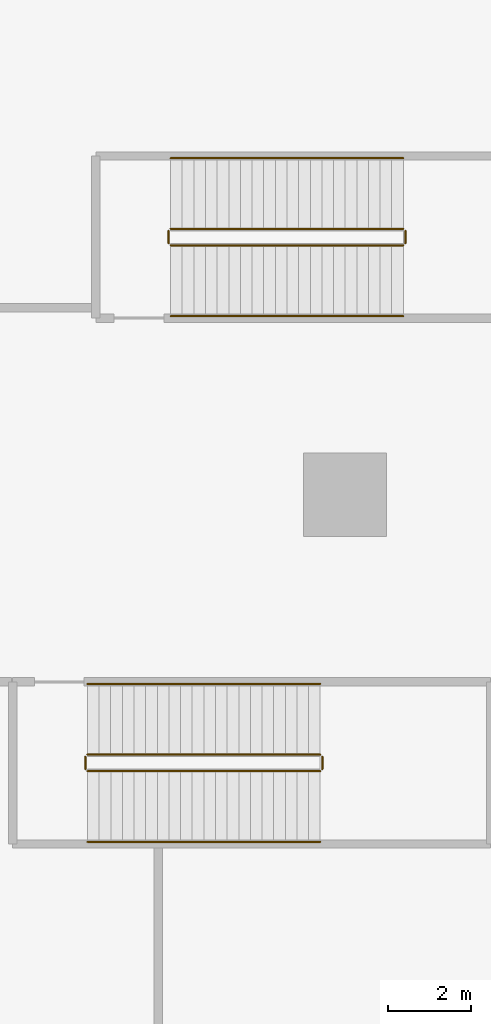
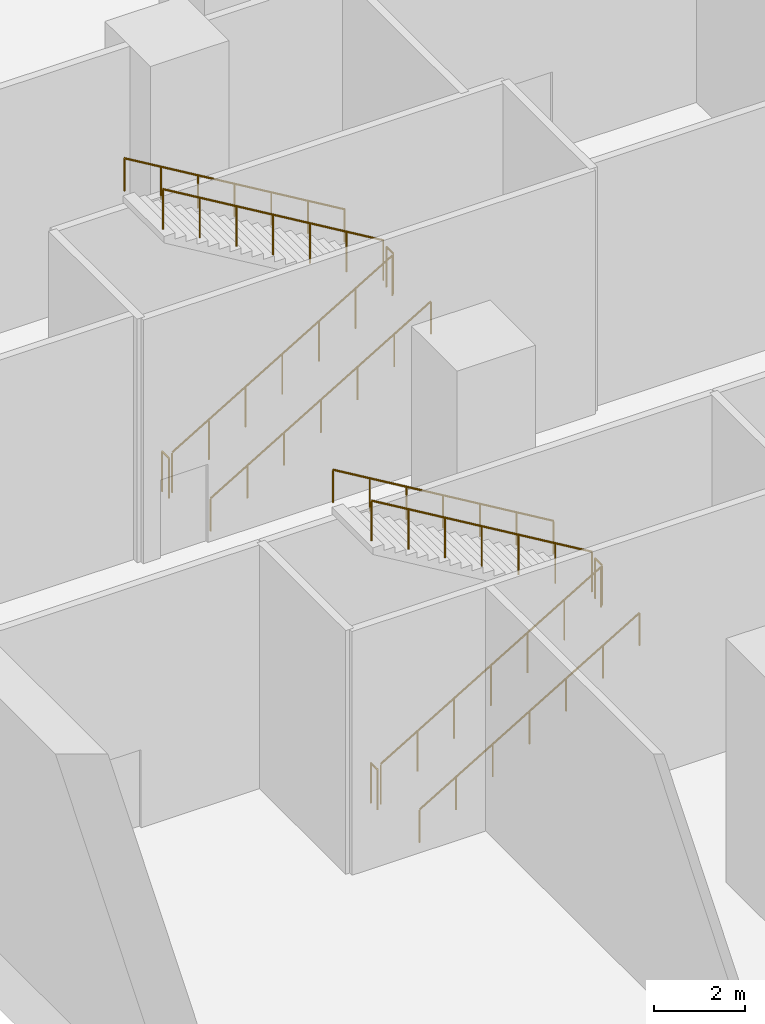
# One storey, part 11 of 13: 12 railings.
"""IFC4 building model written with IfcOpenShell, lengths in metres."""

from ifc_helpers import new_model, si_unit, direction, frame, origin, origin_2d, place, context, subcontext, project, spatial, circle, extrude, material, type_object, element, save


model = new_model("IFC4")

# Units and contexts
model_context = context("Model", 3, precision=1e-05, world=origin(), true_north=direction((0.0, 1.0)))
body_context = subcontext(model_context, "Body", "Model", "MODEL_VIEW")
ifc_project = project(units=[si_unit("LENGTHUNIT", "METRE"), si_unit("AREAUNIT", "SQUARE_METRE"), si_unit("VOLUMEUNIT", "CUBIC_METRE"), si_unit("PLANEANGLEUNIT", "RADIAN"), si_unit("MASSUNIT", "GRAM", prefix="KILO")], contexts=[model_context])

# Site, building, storey
site_placement = place(None, origin())
site = spatial("IfcSite", under=ifc_project, at=site_placement, CompositionType="ELEMENT")
building_placement = place(site_placement, origin())
building = spatial("IfcBuilding", under=site, at=building_placement, Name="Tamarind Cross Interchange Tower", CompositionType="ELEMENT")
storey_placement = place(building_placement, frame((0.0, 0.0, -21.0)))
storey = spatial("IfcBuildingStorey", under=building, at=storey_placement, Name="B3", CompositionType="ELEMENT", Elevation=-21.0)

# Railings
ifc_material_1 = material(Name="Public stair guard")
railing_type_1 = type_object("IfcRailingType", Name="Public stair guard", PredefinedType="GUARDRAIL", material=ifc_material_1)
railing_1_placement = place(storey_placement, frame((-60.199951171875, -33.64990234375, 0.166748046875)))
element("IfcRailing", 1, at=railing_1_placement, inside=storey, type_object=railing_type_1, Name="B3 XS-P07 stair guard 1", PredefinedType="GUARDRAIL", context=body_context, shape_type="SweptSolid", body=[
    extrude(circle(Radius=0.02392578125, at=origin_2d()), frame((0.0, 0.0, 1.076171875), z_axis=(0.859292492371, 0.0, 0.511484518392), x_axis=(0.0, 1.0, 0.0)), (0.0, 0.0, 1.0), 6.516845703125),
    extrude(circle(Radius=0.02099609375, at=origin_2d()), origin(), (0.0, 0.0, 1.0), 1.052001953125),
    extrude(circle(Radius=0.02099609375, at=origin_2d()), frame((0.933349609375, 0.0, 0.5556640625)), (0.0, 0.0, 1.0), 1.052001953125),
    extrude(circle(Radius=0.02099609375, at=origin_2d()), frame((1.86669921875, 0.0, 1.111083984375)), (0.0, 0.0, 1.0), 1.052001953125),
    extrude(circle(Radius=0.02099609375, at=origin_2d()), frame((2.7998046875, 0.0, 1.66650390625)), (0.0, 0.0, 1.0), 1.052001953125),
    extrude(circle(Radius=0.02099609375, at=origin_2d()), frame((3.733154296875, 0.0, 2.22216796875)), (0.0, 0.0, 1.0), 1.052001953125),
    extrude(circle(Radius=0.02099609375, at=origin_2d()), frame((4.66650390625, 0.0, 2.77783203125)), (0.0, 0.0, 1.0), 1.052001953125),
    extrude(circle(Radius=0.02099609375, at=origin_2d()), frame((5.599853515625, 0.0, 3.333251953125)), (0.0, 0.0, 1.0), 1.052001953125),
])
railing_2_placement = place(storey_placement, frame((-54.550048828125, -33.60009765625, 3.5)))
element("IfcRailing", 2, at=railing_2_placement, inside=storey, type_object=railing_type_1, Name="B3 XS-P07 stair guard 2", PredefinedType="GUARDRAIL", context=body_context, shape_type="SweptSolid", body=[
    extrude(circle(Radius=0.02392578125, at=origin_2d()), frame((0.0, 0.0, 1.076171875), z_axis=(0.0, 1.0, 0.0), x_axis=(-1.0, 0.0, 0.0)), (0.0, 0.0, 1.0), 0.300048828125),
    extrude(circle(Radius=0.02099609375, at=origin_2d()), origin(), (0.0, 0.0, 1.0), 1.052001953125),
    extrude(circle(Radius=0.02099609375, at=origin_2d()), frame((0.0, 0.300048828125, 0.0)), (0.0, 0.0, 1.0), 1.052001953125),
])
railing_3_placement = place(storey_placement, frame((-54.60009765625, -33.25, 3.666748046875)))
element("IfcRailing", 3, at=railing_3_placement, inside=storey, type_object=railing_type_1, Name="B3 XS-P07 stair guard 3", PredefinedType="GUARDRAIL", context=body_context, shape_type="SweptSolid", body=[
    extrude(circle(Radius=0.02392578125, at=origin_2d()), frame((0.0, 0.0, 1.076171875), z_axis=(-0.859292492371, 0.0, 0.511484518392), x_axis=(0.0, -1.0, 0.0)), (0.0, 0.0, 1.0), 6.516845703125),
    extrude(circle(Radius=0.02099609375, at=origin_2d()), origin(), (0.0, 0.0, 1.0), 1.052001953125),
    extrude(circle(Radius=0.02099609375, at=origin_2d()), frame((-0.933349609375, 0.0, 0.5556640625)), (0.0, 0.0, 1.0), 1.052001953125),
    extrude(circle(Radius=0.02099609375, at=origin_2d()), frame((-1.86669921875, 0.0, 1.111083984375)), (0.0, 0.0, 1.0), 1.052001953125),
    extrude(circle(Radius=0.02099609375, at=origin_2d()), frame((-2.7998046875, 0.0, 1.66650390625)), (0.0, 0.0, 1.0), 1.052001953125),
    extrude(circle(Radius=0.02099609375, at=origin_2d()), frame((-3.733154296875, 0.0, 2.22216796875)), (0.0, 0.0, 1.0), 1.052001953125),
    extrude(circle(Radius=0.02099609375, at=origin_2d()), frame((-4.66650390625, 0.0, 2.77783203125)), (0.0, 0.0, 1.0), 1.052001953125),
    extrude(circle(Radius=0.02099609375, at=origin_2d()), frame((-5.599853515625, 0.0, 3.333251953125)), (0.0, 0.0, 1.0), 1.052001953125),
])
railing_4_placement = place(storey_placement, frame((-60.25, -33.60009765625, 0.0)))
element("IfcRailing", 4, at=railing_4_placement, inside=storey, type_object=railing_type_1, Name="B3 XS-P07 stair guard 4", PredefinedType="GUARDRAIL", context=body_context, shape_type="SweptSolid", body=[
    extrude(circle(Radius=0.02392578125, at=origin_2d()), frame((0.0, 0.0, 1.076171875), z_axis=(0.0, 1.0, 0.0), x_axis=(-1.0, 0.0, 0.0)), (0.0, 0.0, 1.0), 0.300048828125),
    extrude(circle(Radius=0.02099609375, at=origin_2d()), origin(), (0.0, 0.0, 1.0), 1.052001953125),
    extrude(circle(Radius=0.02099609375, at=origin_2d()), frame((0.0, 0.300048828125, 0.0)), (0.0, 0.0, 1.0), 1.052001953125),
])
railing_5_placement = place(storey_placement, frame((-58.199951171875, -21.0, 0.166748046875)))
element("IfcRailing", 5, at=railing_5_placement, inside=storey, type_object=railing_type_1, Name="B3 XS-P08 stair guard 1", PredefinedType="GUARDRAIL", context=body_context, shape_type="SweptSolid", body=[
    extrude(circle(Radius=0.02392578125, at=origin_2d()), frame((0.0, 0.0, 1.076171875), z_axis=(0.859292492371, 0.0, 0.511484518392), x_axis=(0.0, 1.0, 0.0)), (0.0, 0.0, 1.0), 6.516845703125),
    extrude(circle(Radius=0.02099609375, at=origin_2d()), origin(), (0.0, 0.0, 1.0), 1.052001953125),
    extrude(circle(Radius=0.02099609375, at=origin_2d()), frame((0.933349609375, 0.0, 0.5556640625)), (0.0, 0.0, 1.0), 1.052001953125),
    extrude(circle(Radius=0.02099609375, at=origin_2d()), frame((1.86669921875, 0.0, 1.111083984375)), (0.0, 0.0, 1.0), 1.052001953125),
    extrude(circle(Radius=0.02099609375, at=origin_2d()), frame((2.7998046875, 0.0, 1.66650390625)), (0.0, 0.0, 1.0), 1.052001953125),
    extrude(circle(Radius=0.02099609375, at=origin_2d()), frame((3.733154296875, 0.0, 2.22216796875)), (0.0, 0.0, 1.0), 1.052001953125),
    extrude(circle(Radius=0.02099609375, at=origin_2d()), frame((4.66650390625, 0.0, 2.77783203125)), (0.0, 0.0, 1.0), 1.052001953125),
    extrude(circle(Radius=0.02099609375, at=origin_2d()), frame((5.599853515625, 0.0, 3.333251953125)), (0.0, 0.0, 1.0), 1.052001953125),
])
railing_6_placement = place(storey_placement, frame((-52.550048828125, -20.949951171875, 3.5)))
element("IfcRailing", 6, at=railing_6_placement, inside=storey, type_object=railing_type_1, Name="B3 XS-P08 stair guard 2", PredefinedType="GUARDRAIL", context=body_context, shape_type="SweptSolid", body=[
    extrude(circle(Radius=0.02392578125, at=origin_2d()), frame((0.0, 0.0, 1.076171875), z_axis=(0.0, 1.0, 0.0), x_axis=(-1.0, 0.0, 0.0)), (0.0, 0.0, 1.0), 0.300048828125),
    extrude(circle(Radius=0.02099609375, at=origin_2d()), origin(), (0.0, 0.0, 1.0), 1.052001953125),
    extrude(circle(Radius=0.02099609375, at=origin_2d()), frame((0.0, 0.300048828125, 0.0)), (0.0, 0.0, 1.0), 1.052001953125),
])
railing_7_placement = place(storey_placement, frame((-52.60009765625, -20.60009765625, 3.666748046875)))
element("IfcRailing", 7, at=railing_7_placement, inside=storey, type_object=railing_type_1, Name="B3 XS-P08 stair guard 3", PredefinedType="GUARDRAIL", context=body_context, shape_type="SweptSolid", body=[
    extrude(circle(Radius=0.02392578125, at=origin_2d()), frame((0.0, 0.0, 1.076171875), z_axis=(-0.859292492371, 0.0, 0.511484518392), x_axis=(0.0, -1.0, 0.0)), (0.0, 0.0, 1.0), 6.516845703125),
    extrude(circle(Radius=0.02099609375, at=origin_2d()), origin(), (0.0, 0.0, 1.0), 1.052001953125),
    extrude(circle(Radius=0.02099609375, at=origin_2d()), frame((-0.933349609375, 0.0, 0.5556640625)), (0.0, 0.0, 1.0), 1.052001953125),
    extrude(circle(Radius=0.02099609375, at=origin_2d()), frame((-1.86669921875, 0.0, 1.111083984375)), (0.0, 0.0, 1.0), 1.052001953125),
    extrude(circle(Radius=0.02099609375, at=origin_2d()), frame((-2.7998046875, 0.0, 1.66650390625)), (0.0, 0.0, 1.0), 1.052001953125),
    extrude(circle(Radius=0.02099609375, at=origin_2d()), frame((-3.733154296875, 0.0, 2.22216796875)), (0.0, 0.0, 1.0), 1.052001953125),
    extrude(circle(Radius=0.02099609375, at=origin_2d()), frame((-4.66650390625, 0.0, 2.77783203125)), (0.0, 0.0, 1.0), 1.052001953125),
    extrude(circle(Radius=0.02099609375, at=origin_2d()), frame((-5.599853515625, 0.0, 3.333251953125)), (0.0, 0.0, 1.0), 1.052001953125),
])
railing_8_placement = place(storey_placement, frame((-58.25, -20.949951171875, 0.0)))
element("IfcRailing", 8, at=railing_8_placement, inside=storey, type_object=railing_type_1, Name="B3 XS-P08 stair guard 4", PredefinedType="GUARDRAIL", context=body_context, shape_type="SweptSolid", body=[
    extrude(circle(Radius=0.02392578125, at=origin_2d()), frame((0.0, 0.0, 1.076171875), z_axis=(0.0, 1.0, 0.0), x_axis=(-1.0, 0.0, 0.0)), (0.0, 0.0, 1.0), 0.300048828125),
    extrude(circle(Radius=0.02099609375, at=origin_2d()), origin(), (0.0, 0.0, 1.0), 1.052001953125),
    extrude(circle(Radius=0.02099609375, at=origin_2d()), frame((0.0, 0.300048828125, 0.0)), (0.0, 0.0, 1.0), 1.052001953125),
])
ifc_material_2 = material(Name="Public stair handrail")
railing_type_2 = type_object("IfcRailingType", Name="Public stair handrail", PredefinedType="HANDRAIL", material=ifc_material_2)
railing_9_placement = place(storey_placement, frame((-60.199951171875, -35.35009765625, 0.166748046875)))
element("IfcRailing", 9, at=railing_9_placement, inside=storey, type_object=railing_type_2, Name="B3 XS-P07 stair handrail 1", PredefinedType="HANDRAIL", context=body_context, shape_type="SweptSolid", body=[
    extrude(circle(Radius=0.02392578125, at=origin_2d()), frame((0.0, 0.0, 0.8759765625), z_axis=(0.859292492371, 0.0, 0.511484518392), x_axis=(0.0, 1.0, 0.0)), (0.0, 0.0, 1.0), 6.516845703125),
    extrude(circle(Radius=0.02099609375, at=origin_2d()), origin(), (0.0, 0.0, 1.0), 0.851806640625),
    extrude(circle(Radius=0.02099609375, at=origin_2d()), frame((0.933349609375, 0.0, 0.5556640625)), (0.0, 0.0, 1.0), 0.851806640625),
    extrude(circle(Radius=0.02099609375, at=origin_2d()), frame((1.86669921875, 0.0, 1.111083984375)), (0.0, 0.0, 1.0), 0.851806640625),
    extrude(circle(Radius=0.02099609375, at=origin_2d()), frame((2.7998046875, 0.0, 1.66650390625)), (0.0, 0.0, 1.0), 0.851806640625),
    extrude(circle(Radius=0.02099609375, at=origin_2d()), frame((3.733154296875, 0.0, 2.22216796875)), (0.0, 0.0, 1.0), 0.851806640625),
    extrude(circle(Radius=0.02099609375, at=origin_2d()), frame((4.66650390625, 0.0, 2.77783203125)), (0.0, 0.0, 1.0), 0.851806640625),
    extrude(circle(Radius=0.02099609375, at=origin_2d()), frame((5.599853515625, 0.0, 3.333251953125)), (0.0, 0.0, 1.0), 0.851806640625),
])
railing_10_placement = place(storey_placement, frame((-54.60009765625, -31.550048828125, 3.666748046875)))
element("IfcRailing", 10, at=railing_10_placement, inside=storey, type_object=railing_type_2, Name="B3 XS-P07 stair handrail 2", PredefinedType="HANDRAIL", context=body_context, shape_type="SweptSolid", body=[
    extrude(circle(Radius=0.02392578125, at=origin_2d()), frame((0.0, 0.0, 0.8759765625), z_axis=(-0.859292492371, 0.0, 0.511484518392), x_axis=(0.0, -1.0, 0.0)), (0.0, 0.0, 1.0), 6.516845703125),
    extrude(circle(Radius=0.02099609375, at=origin_2d()), origin(), (0.0, 0.0, 1.0), 0.851806640625),
    extrude(circle(Radius=0.02099609375, at=origin_2d()), frame((-0.933349609375, 0.0, 0.5556640625)), (0.0, 0.0, 1.0), 0.851806640625),
    extrude(circle(Radius=0.02099609375, at=origin_2d()), frame((-1.86669921875, 0.0, 1.111083984375)), (0.0, 0.0, 1.0), 0.851806640625),
    extrude(circle(Radius=0.02099609375, at=origin_2d()), frame((-2.7998046875, 0.0, 1.66650390625)), (0.0, 0.0, 1.0), 0.851806640625),
    extrude(circle(Radius=0.02099609375, at=origin_2d()), frame((-3.733154296875, 0.0, 2.22216796875)), (0.0, 0.0, 1.0), 0.851806640625),
    extrude(circle(Radius=0.02099609375, at=origin_2d()), frame((-4.66650390625, 0.0, 2.77783203125)), (0.0, 0.0, 1.0), 0.851806640625),
    extrude(circle(Radius=0.02099609375, at=origin_2d()), frame((-5.599853515625, 0.0, 3.333251953125)), (0.0, 0.0, 1.0), 0.851806640625),
])
railing_11_placement = place(storey_placement, frame((-58.199951171875, -22.699951171875, 0.166748046875)))
element("IfcRailing", 11, at=railing_11_placement, inside=storey, type_object=railing_type_2, Name="B3 XS-P08 stair handrail 1", PredefinedType="HANDRAIL", context=body_context, shape_type="SweptSolid", body=[
    extrude(circle(Radius=0.02392578125, at=origin_2d()), frame((0.0, 0.0, 0.8759765625), z_axis=(0.859292492371, 0.0, 0.511484518392), x_axis=(0.0, 1.0, 0.0)), (0.0, 0.0, 1.0), 6.516845703125),
    extrude(circle(Radius=0.02099609375, at=origin_2d()), origin(), (0.0, 0.0, 1.0), 0.851806640625),
    extrude(circle(Radius=0.02099609375, at=origin_2d()), frame((0.933349609375, 0.0, 0.5556640625)), (0.0, 0.0, 1.0), 0.851806640625),
    extrude(circle(Radius=0.02099609375, at=origin_2d()), frame((1.86669921875, 0.0, 1.111083984375)), (0.0, 0.0, 1.0), 0.851806640625),
    extrude(circle(Radius=0.02099609375, at=origin_2d()), frame((2.7998046875, 0.0, 1.66650390625)), (0.0, 0.0, 1.0), 0.851806640625),
    extrude(circle(Radius=0.02099609375, at=origin_2d()), frame((3.733154296875, 0.0, 2.22216796875)), (0.0, 0.0, 1.0), 0.851806640625),
    extrude(circle(Radius=0.02099609375, at=origin_2d()), frame((4.66650390625, 0.0, 2.77783203125)), (0.0, 0.0, 1.0), 0.851806640625),
    extrude(circle(Radius=0.02099609375, at=origin_2d()), frame((5.599853515625, 0.0, 3.333251953125)), (0.0, 0.0, 1.0), 0.851806640625),
])
railing_12_placement = place(storey_placement, frame((-52.60009765625, -18.89990234375, 3.666748046875)))
element("IfcRailing", 12, at=railing_12_placement, inside=storey, type_object=railing_type_2, Name="B3 XS-P08 stair handrail 2", PredefinedType="HANDRAIL", context=body_context, shape_type="SweptSolid", body=[
    extrude(circle(Radius=0.02392578125, at=origin_2d()), frame((0.0, 0.0, 0.8759765625), z_axis=(-0.859292492371, 0.0, 0.511484518392), x_axis=(0.0, -1.0, 0.0)), (0.0, 0.0, 1.0), 6.516845703125),
    extrude(circle(Radius=0.02099609375, at=origin_2d()), origin(), (0.0, 0.0, 1.0), 0.851806640625),
    extrude(circle(Radius=0.02099609375, at=origin_2d()), frame((-0.933349609375, 0.0, 0.5556640625)), (0.0, 0.0, 1.0), 0.851806640625),
    extrude(circle(Radius=0.02099609375, at=origin_2d()), frame((-1.86669921875, 0.0, 1.111083984375)), (0.0, 0.0, 1.0), 0.851806640625),
    extrude(circle(Radius=0.02099609375, at=origin_2d()), frame((-2.7998046875, 0.0, 1.66650390625)), (0.0, 0.0, 1.0), 0.851806640625),
    extrude(circle(Radius=0.02099609375, at=origin_2d()), frame((-3.733154296875, 0.0, 2.22216796875)), (0.0, 0.0, 1.0), 0.851806640625),
    extrude(circle(Radius=0.02099609375, at=origin_2d()), frame((-4.66650390625, 0.0, 2.77783203125)), (0.0, 0.0, 1.0), 0.851806640625),
    extrude(circle(Radius=0.02099609375, at=origin_2d()), frame((-5.599853515625, 0.0, 3.333251953125)), (0.0, 0.0, 1.0), 0.851806640625),
])

save(model, "model.ifc")
